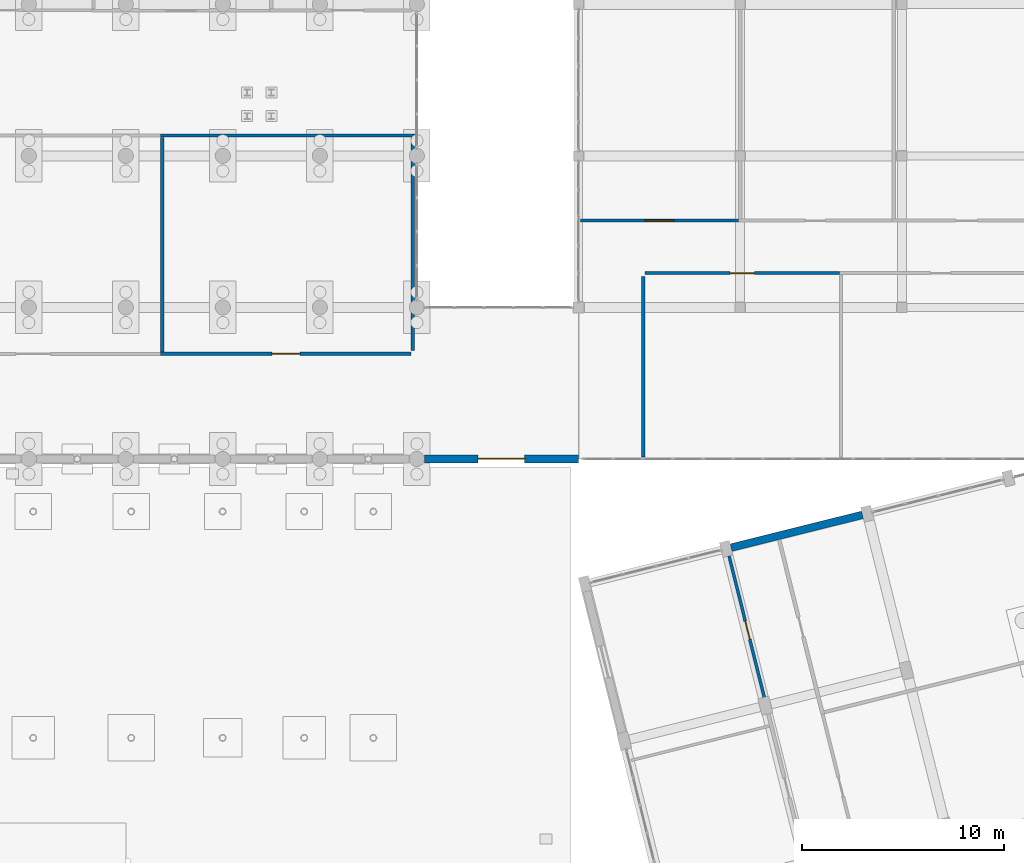
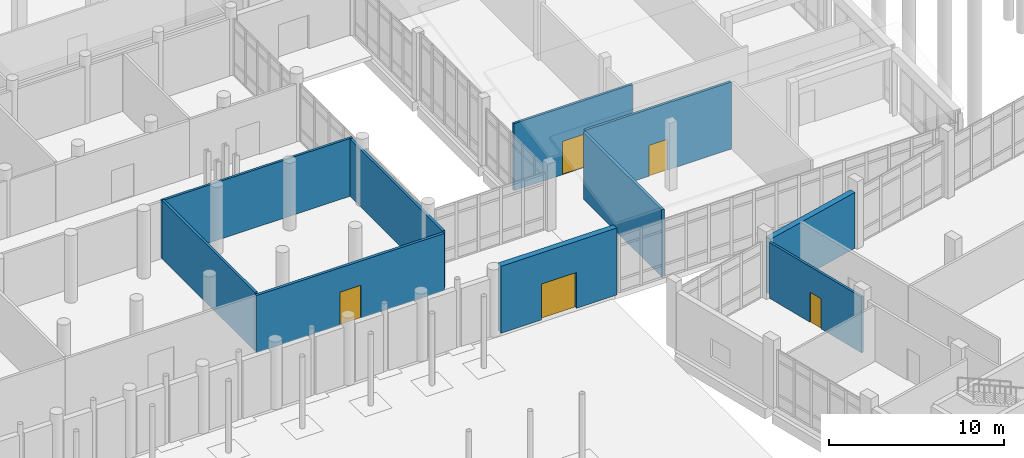
# One storey, part 153 of 173: 10 walls, 5 doors, 5 openings.
"""IFC4 building model written with IfcOpenShell, lengths in metres."""

from ifc_helpers import new_model, si_unit, direction, frame, frame_2d, origin, place, context, subcontext, project, spatial, rectangle, extrude, material, layer, layer_set, type_object, element, fill, save


model = new_model("IFC4")

# Units and contexts
model_context = context("Model", 3, precision=1e-05, world=origin(), true_north=direction((0.0, 1.0)))
body_context = subcontext(model_context, "Body", "Model", "MODEL_VIEW")
ifc_project = project(units=[si_unit("LENGTHUNIT", "METRE"), si_unit("AREAUNIT", "SQUARE_METRE"), si_unit("VOLUMEUNIT", "CUBIC_METRE"), si_unit("PLANEANGLEUNIT", "RADIAN"), si_unit("MASSUNIT", "GRAM", prefix="KILO")], contexts=[model_context])

# Site, building, storey
site_placement = place(None, origin())
site = spatial("IfcSite", under=ifc_project, at=site_placement, CompositionType="ELEMENT")
building_placement = place(site_placement, origin())
building = spatial("IfcBuilding", under=site, at=building_placement, Name="Mawjan Specialist Oncology Clinic", CompositionType="ELEMENT")
storey_placement = place(building_placement, origin())
storey = spatial("IfcBuildingStorey", under=building, at=storey_placement, Name="L00", CompositionType="ELEMENT", Elevation=0.0)

# Wall, opening, door
ifc_material_1 = material(Name="Precast concrete C40/50", Category="concrete")
ifc_layer_1 = layer(ifc_material_1, 0.3798828125, Name="Precast concrete C40/50", Category="concrete")
ifc_layer_set_1 = layer_set([ifc_layer_1], Name="Precast concrete C40/50")
wall_type_1 = type_object("IfcWallType", Name="EW-380", PredefinedType="SOLIDWALL", material=ifc_layer_set_1)
wall_1_placement = place(storey_placement, frame((116.0, 45.800048828125, 0.0), z_axis=(0.0, 0.0, 1.0), x_axis=(-1.0, 0.0, 0.0)))
wall_1 = element("IfcWall", 1, at=wall_1_placement, inside=storey, type_object=wall_type_1, Name="L00 Coral-Limestone Exterior Wall EW-L00-034", PredefinedType="SOLIDWALL", context=body_context, shape_type="SweptSolid", body=[
    extrude(rectangle(XDim=7.625, YDim=0.3798828125, at=frame_2d((3.8125, 0.0))), origin(), (0.0, 0.0, 1.0), 4.669921875),
])
opening_1_placement = place(wall_1_placement, frame((2.66259765625, 0.0, 0.0)))
opening_1 = element("IfcOpeningElement", 2, at=opening_1_placement, cuts=wall_1, Name="Opening DE-230", PredefinedType="OPENING", context=body_context, shape_type="SweptSolid", body=[
    extrude(rectangle(XDim=2.300048828125, YDim=2.5, at=frame_2d((1.14990234375, 1.25))), frame((0.0, 0.201904296875, 0.0), z_axis=(0.0, -1.0, 0.0), x_axis=(1.0, 0.0, 0.0)), (0.0, 0.0, 1.0), 0.40380859375),
])
ifc_material_2 = material(Name="Insulated marine-grade aluminium entrance assembly", Category="aluminium")
door_type_1 = type_object("IfcDoorType", Name="DE-230", OperationType="DOUBLE_DOOR_SINGLE_SWING", PredefinedType="DOOR", material=ifc_material_2)
door_1_placement = place(opening_1_placement, origin())
door_1 = element("IfcDoor", 3, at=door_1_placement, inside=storey, type_object=door_type_1, Name="Main Pedestrian Final Exit Door E-09", OperationType="DOUBLE_DOOR_SINGLE_SWING", OverallHeight=2.5, OverallWidth=2.300048828125, PredefinedType="DOOR", context=body_context, shape_type="SweptSolid", body=[
    extrude(rectangle(XDim=2.300048828125, YDim=2.5, at=frame_2d((1.14990234375, 1.25))), frame((0.0, 0.02490234375, 0.0), z_axis=(0.0, -1.0, 0.0), x_axis=(1.0, 0.0, 0.0)), (0.0, 0.0, 1.0), 0.050048828125),
])
fill(opening_1, door_1)

# Wall
wall_2_placement = place(storey_placement, frame((123.5517578125, 41.4140625, 0.0), z_axis=(0.0, 0.0, 1.0), x_axis=(0.970296633454, 0.241918257079, 0.0)))
element("IfcWall", 4, at=wall_2_placement, inside=storey, type_object=wall_type_1, Name="L00 Coral-Limestone Exterior Wall EW-L00-071", PredefinedType="SOLIDWALL", context=body_context, shape_type="SweptSolid", body=[
    extrude(rectangle(XDim=6.699951171875, YDim=0.3798828125, at=frame_2d((3.35009765625, 0.0))), origin(), (0.0, 0.0, 1.0), 3.885009765625),
])

# Wall, opening, door
ifc_material_3 = material(Name="Acoustic gypsum clinical partition", Category="gypsum")
ifc_layer_2 = layer(ifc_material_3, 0.14990234375, Name="Acoustic gypsum clinical partition", Category="gypsum")
ifc_layer_set_2 = layer_set([ifc_layer_2], Name="Acoustic gypsum clinical partition")
wall_type_2 = type_object("IfcWallType", Name="WP-150", PredefinedType="PARTITIONING", material=ifc_layer_set_2)
wall_3_placement = place(storey_placement, frame((116.10205078125, 57.60009765625, 0.0), z_axis=(0.0, 0.0, 1.0), x_axis=(1.0, 0.0, 0.0)))
wall_3 = element("IfcWall", 5, at=wall_3_placement, inside=storey, type_object=wall_type_2, Name="L00 Interior Partition W-INT-L00-L01A-C", PredefinedType="PARTITIONING", context=body_context, shape_type="SweptSolid", body=[
    extrude(rectangle(XDim=7.81298828125, YDim=0.14990234375, at=frame_2d((3.906494140625, 0.0))), origin(), (0.0, 0.0, 1.0), 4.669921875),
])
opening_2_placement = place(wall_3_placement, frame((3.1865234375, 0.0, 0.0)))
opening_2 = element("IfcOpeningElement", 6, at=opening_2_placement, cuts=wall_3, Name="Opening DM-CT", PredefinedType="OPENING", context=body_context, shape_type="SweptSolid", body=[
    extrude(rectangle(XDim=1.43994140625, YDim=2.320068359375, at=frame_2d((0.719970703125, 1.16015625))), frame((0.0, 0.0869140625, 0.0), z_axis=(0.0, -1.0, 0.0), x_axis=(1.0, 0.0, 0.0)), (0.0, 0.0, 1.0), 0.173828125),
])
ifc_material_4 = material(Name="Acoustic laminate hospital door leaf", Category="wood")
door_type_2 = type_object("IfcDoorType", Name="DM-CT", OperationType="NOTDEFINED", PredefinedType="DOOR", material=ifc_material_4)
door_2_placement = place(opening_2_placement, origin())
door_2 = element("IfcDoor", 7, at=door_2_placement, inside=storey, type_object=door_type_2, Name="L00 Biomedical Engineering Workshop Door", OperationType="SINGLE_SWING_LEFT", OverallHeight=2.320068359375, OverallWidth=1.43994140625, PredefinedType="DOOR", context=body_context, shape_type="SweptSolid", body=[
    extrude(rectangle(XDim=1.43994140625, YDim=2.320068359375, at=frame_2d((0.719970703125, 1.16015625))), frame((0.0, 0.02490234375, 0.0), z_axis=(0.0, -1.0, 0.0), x_axis=(1.0, 0.0, 0.0)), (0.0, 0.0, 1.0), 0.050048828125),
])
fill(opening_2, door_2)

wall_4_placement = place(storey_placement, frame((125.27978515625, 33.65673828125, 0.0), z_axis=(0.0, 0.0, 1.0), x_axis=(-0.241913572398, 0.970297801445, 0.0)))
wall_4 = element("IfcWall", 8, at=wall_4_placement, inside=storey, type_object=wall_type_2, Name="L00 Interior Partition W-RINT-L00-RNW2-E", PredefinedType="PARTITIONING", context=body_context, shape_type="SweptSolid", body=[
    extrude(rectangle(XDim=7.572998046875, YDim=0.14990234375, at=frame_2d((3.78662109375, 0.0))), origin(), (0.0, 0.0, 1.0), 3.885009765625),
])
opening_3_placement = place(wall_4_placement, frame((3.326416015625, 0.0, 0.0)))
opening_3 = element("IfcOpeningElement", 9, at=opening_3_placement, cuts=wall_4, Name="Opening DI-92", PredefinedType="OPENING", context=body_context, shape_type="SweptSolid", body=[
    extrude(rectangle(XDim=0.919921875, YDim=2.10009765625, at=frame_2d((0.4599609375, 1.050048828125))), frame((0.0, 0.0869140625, 0.0), z_axis=(0.0, -1.0, 0.0), x_axis=(1.0, 0.0, 0.0)), (0.0, 0.0, 1.0), 0.173828125),
])
ifc_material_5 = material(Name="Acoustic laminate hospital door leaf", Category="wood")
door_type_3 = type_object("IfcDoorType", Name="DI-92", OperationType="NOTDEFINED", PredefinedType="DOOR", material=ifc_material_5)
door_3_placement = place(opening_3_placement, origin())
door_3 = element("IfcDoor", 10, at=door_3_placement, inside=storey, type_object=door_type_3, Name="L00 Translational Biomarker Assay Lab Door", OperationType="SINGLE_SWING_LEFT", OverallHeight=2.10009765625, OverallWidth=0.919921875, PredefinedType="DOOR", context=body_context, shape_type="SweptSolid", body=[
    extrude(rectangle(XDim=0.919921875, YDim=2.10009765625, at=frame_2d((0.4599609375, 1.050048828125))), frame((0.0, 0.02490234375, 0.0), z_axis=(0.0, -1.0, 0.0), x_axis=(1.0, 0.0, 0.0)), (0.0, 0.0, 1.0), 0.050048828125),
])
fill(opening_3, door_3)

# Wall
wall_5_placement = place(storey_placement, frame((95.326904296875, 61.800048828125, 0.0), z_axis=(0.0, 0.0, 1.0), x_axis=(1.0, 0.0, 0.0)))
element("IfcWall", 11, at=wall_5_placement, inside=storey, type_object=wall_type_2, Name="L00 Interior Partition W-INT-L00-H07-R", PredefinedType="PARTITIONING", context=body_context, shape_type="SweptSolid", body=[
    extrude(rectangle(XDim=12.571044921875, YDim=0.14990234375, at=frame_2d((6.28564453125, 0.0))), origin(), (0.0, 0.0, 1.0), 4.034912109375),
])

# Wall, opening, door
ifc_material_6 = material(Name="Acoustic clinical twin-stud partition", Category="gypsum")
ifc_layer_3 = layer(ifc_material_6, 0.159912109375, Name="Acoustic clinical twin-stud partition", Category="gypsum")
ifc_layer_set_3 = layer_set([ifc_layer_3], Name="Acoustic clinical twin-stud partition")
wall_type_3 = type_object("IfcWallType", Name="WP-160", PredefinedType="PARTITIONING", material=ifc_layer_set_3)
wall_6_placement = place(storey_placement, frame((119.284912109375, 55.0, 0.0), z_axis=(0.0, 0.0, 1.0), x_axis=(1.0, 0.0, 0.0)))
wall_6 = element("IfcWall", 12, at=wall_6_placement, inside=storey, type_object=wall_type_3, Name="L00 Interior Partition W-INT-L00-L04A-C", PredefinedType="PARTITIONING", context=body_context, shape_type="SweptSolid", body=[
    extrude(rectangle(XDim=9.630126953125, YDim=0.159912109375, at=frame_2d((4.81494140625, 0.0))), origin(), (0.0, 0.0, 1.0), 4.669921875),
])
opening_4_placement = place(wall_6_placement, frame((4.215087890625, 0.0, 0.0)))
opening_4 = element("IfcOpeningElement", 13, at=opening_4_placement, cuts=wall_6, Name="Opening DC-120", PredefinedType="OPENING", context=body_context, shape_type="SweptSolid", body=[
    extrude(rectangle(XDim=1.199951171875, YDim=2.14990234375, at=frame_2d((0.60009765625, 1.074951171875))), frame((0.0, 0.092041015625, 0.0), z_axis=(0.0, -1.0, 0.0), x_axis=(1.0, 0.0, 0.0)), (0.0, 0.0, 1.0), 0.183837890625),
])
ifc_material_7 = material(Name="Acoustic laminate hospital door leaf", Category="wood")
door_type_4 = type_object("IfcDoorType", Name="DC-120", OperationType="NOTDEFINED", PredefinedType="DOOR", material=ifc_material_7)
door_4_placement = place(opening_4_placement, origin())
door_4 = element("IfcDoor", 14, at=door_4_placement, inside=storey, type_object=door_type_4, Name="L00 Clinical Engineering Calibration Lab Door", OperationType="SINGLE_SWING_LEFT", OverallHeight=2.14990234375, OverallWidth=1.199951171875, PredefinedType="DOOR", context=body_context, shape_type="SweptSolid", body=[
    extrude(rectangle(XDim=1.199951171875, YDim=2.14990234375, at=frame_2d((0.60009765625, 1.074951171875))), frame((0.0, 0.02490234375, 0.0), z_axis=(0.0, -1.0, 0.0), x_axis=(1.0, 0.0, 0.0)), (0.0, 0.0, 1.0), 0.050048828125),
])
fill(opening_4, door_4)

# Walls
wall_7_placement = place(storey_placement, frame((95.39990234375, 51.10205078125, 0.0), z_axis=(0.0, 0.0, 1.0), x_axis=(0.0, 1.0, 0.0)))
element("IfcWall", 15, at=wall_7_placement, inside=storey, type_object=wall_type_3, Name="L00 Interior Partition W-INT-L00-H06-D", PredefinedType="PARTITIONING", context=body_context, shape_type="SweptSolid", body=[
    extrude(rectangle(XDim=10.61083984375, YDim=0.159912109375, at=frame_2d((5.305419921875, 0.0))), origin(), (0.0, 0.0, 1.0), 4.0849609375),
])
wall_8_placement = place(storey_placement, frame((107.800048828125, 51.1650390625, 0.0), z_axis=(0.0, 0.0, 1.0), x_axis=(0.0, 1.0, 0.0)))
element("IfcWall", 16, at=wall_8_placement, inside=storey, type_object=wall_type_3, Name="L00 Interior Partition W-INT-L00-H07-D", PredefinedType="PARTITIONING", context=body_context, shape_type="SweptSolid", body=[
    extrude(rectangle(XDim=10.5478515625, YDim=0.159912109375, at=frame_2d((5.27392578125, 0.0))), origin(), (0.0, 0.0, 1.0), 3.985107421875),
])

# Wall, opening, door
ifc_material_8 = material(Name="Lead-lined radiation-shielded clinical partition", Category="gypsum")
ifc_layer_4 = layer(ifc_material_8, 0.179931640625, Name="Lead-lined radiation-shielded clinical partition", Category="gypsum")
ifc_layer_set_4 = layer_set([ifc_layer_4], Name="Lead-lined radiation-shielded clinical partition")
wall_type_4 = type_object("IfcWallType", Name="WP-180", PredefinedType="PARTITIONING", material=ifc_layer_set_4)
wall_9_placement = place(storey_placement, frame((95.326904296875, 51.0, 0.0), z_axis=(0.0, 0.0, 1.0), x_axis=(1.0, 0.0, 0.0)))
wall_9 = element("IfcWall", 17, at=wall_9_placement, inside=storey, type_object=wall_type_4, Name="L00 Interior Partition W-INT-L00-H07-C", PredefinedType="PARTITIONING", context=body_context, shape_type="SweptSolid", body=[
    extrude(rectangle(XDim=12.38818359375, YDim=0.179931640625, at=frame_2d((6.194091796875, 0.0))), origin(), (0.0, 0.0, 1.0), 3.985107421875),
])
opening_5_placement = place(wall_9_placement, frame((5.50390625, 0.0, 0.0)))
opening_5 = element("IfcOpeningElement", 18, at=opening_5_placement, cuts=wall_9, Name="Opening DM-MRI", PredefinedType="OPENING", context=body_context, shape_type="SweptSolid", body=[
    extrude(rectangle(XDim=1.3798828125, YDim=2.300048828125, at=frame_2d((0.68994140625, 1.14990234375))), frame((0.0, 0.10205078125, 0.0), z_axis=(0.0, -1.0, 0.0), x_axis=(1.0, 0.0, 0.0)), (0.0, 0.0, 1.0), 0.203857421875),
])
ifc_material_9 = material(Name="Acoustic laminate hospital door leaf", Category="wood")
door_type_5 = type_object("IfcDoorType", Name="DM-MRI", OperationType="NOTDEFINED", PredefinedType="DOOR", material=ifc_material_9)
door_5_placement = place(opening_5_placement, origin())
door_5 = element("IfcDoor", 19, at=door_5_placement, inside=storey, type_object=door_type_5, Name="L00 Infusion Family Lounge Door", OperationType="SINGLE_SWING_LEFT", OverallHeight=2.300048828125, OverallWidth=1.3798828125, PredefinedType="DOOR", context=body_context, shape_type="SweptSolid", body=[
    extrude(rectangle(XDim=1.3798828125, YDim=2.300048828125, at=frame_2d((0.68994140625, 1.14990234375))), frame((0.0, 0.02490234375, 0.0), z_axis=(0.0, -1.0, 0.0), x_axis=(1.0, 0.0, 0.0)), (0.0, 0.0, 1.0), 0.050048828125),
])
fill(opening_5, door_5)

# Wall
wall_10_placement = place(storey_placement, frame((119.199951171875, 45.902099609375, 0.0), z_axis=(0.0, 0.0, 1.0), x_axis=(0.0, 1.0, 0.0)))
element("IfcWall", 20, at=wall_10_placement, inside=storey, type_object=wall_type_4, Name="L00 Interior Partition W-INT-L00-L04A-D0", PredefinedType="PARTITIONING", context=body_context, shape_type="SweptSolid", body=[
    extrude(rectangle(XDim=8.932861328125, YDim=0.179931640625, at=frame_2d((4.46630859375, 0.0))), origin(), (0.0, 0.0, 1.0), 4.669921875),
])

save(model, "model.ifc")
